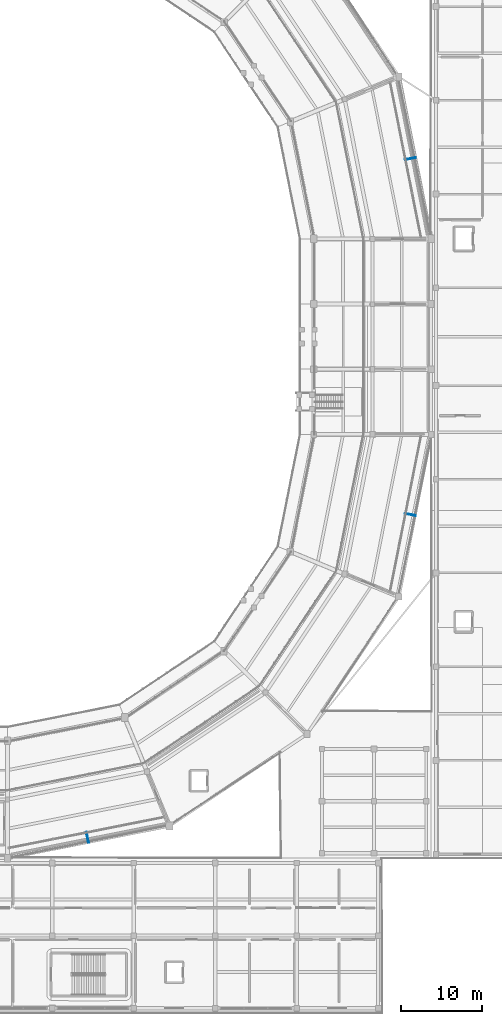
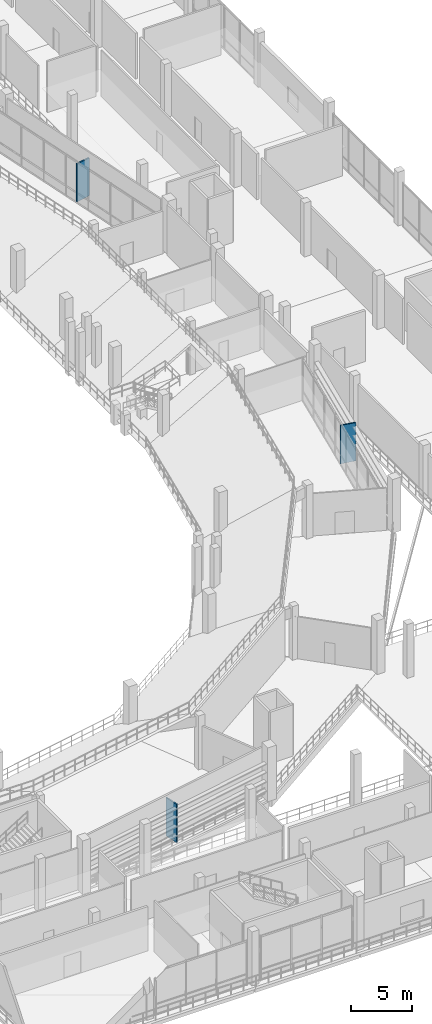
# One storey, part 92 of 127: 3 discrete accessories.
"""IFC4 building model written with IfcOpenShell, lengths in metres."""

from ifc_helpers import new_model, si_unit, direction, frame, origin, origin_2d, place, context, subcontext, project, spatial, rectangle, extrude, material, type_object, element, save


model = new_model("IFC4")

# Units and contexts
model_context = context("Model", 3, precision=1e-05, world=origin(), true_north=direction((0.0, 1.0)))
body_context = subcontext(model_context, "Body", "Model", "MODEL_VIEW")
ifc_project = project(units=[si_unit("LENGTHUNIT", "METRE"), si_unit("AREAUNIT", "SQUARE_METRE"), si_unit("VOLUMEUNIT", "CUBIC_METRE"), si_unit("PLANEANGLEUNIT", "RADIAN"), si_unit("MASSUNIT", "GRAM", prefix="KILO")], contexts=[model_context])

# Site, building, storey
site_placement = place(None, origin())
site = spatial("IfcSite", under=ifc_project, at=site_placement, CompositionType="ELEMENT")
building_placement = place(site_placement, origin())
building = spatial("IfcBuilding", under=site, at=building_placement, Name="Candeia Ridge Stadium", CompositionType="ELEMENT")
storey_placement = place(building_placement, frame((0.0, 0.0, 10.800048828125)))
storey = spatial("IfcBuildingStorey", under=building, at=storey_placement, Name="L02", CompositionType="ELEMENT", Elevation=10.800048828125)

# Discrete accessories
ifc_material = material(Name="Steel ASTM A572 Grade 50", Category="steel")
discrete_accessory_type = type_object("IfcDiscreteAccessoryType", Name="Solar Rib Outrigger Bracket BRK1", PredefinedType="BRACKET", material=ifc_material)
for number, where, z_axis, x_axis, name in (
    (1, (150.8349609375, 21.556396484375, 0.199951171875), (0.0, 0.0, 1.0), (0.19509022785, -0.980785299134, 0.0), "Solar rib steel outrigger bracket L02 bay 26"),
    (2, (190.443603515625, 61.1650390625, 0.199951171875), (0.0, 0.0, 1.0), (0.980785299134, -0.19509022785, 0.0), "Solar rib steel outrigger bracket L02 bay 29"),
):
    element("IfcDiscreteAccessory", number, at=place(storey_placement, frame(where, z_axis=z_axis, x_axis=x_axis)), inside=storey, type_object=discrete_accessory_type, Name=name, PredefinedType="BRACKET", context=body_context, shape_type="SweptSolid", body=[
        extrude(rectangle(XDim=1.35009765625, YDim=0.1201171875, at=origin_2d()), origin(), (0.0, 0.0, 1.0), 3.85498046875),
    ])
discrete_accessory_placement = place(storey_placement, frame((190.443603515625, 104.8349609375, 0.199951171875), z_axis=(0.0, 0.0, 1.0), x_axis=(0.980785299134, 0.19509022785, 0.0)))
element("IfcDiscreteAccessory", 3, at=discrete_accessory_placement, inside=storey, type_object=discrete_accessory_type, Name="Solar rib steel outrigger bracket L02 bay 33", PredefinedType="BRACKET", context=body_context, shape_type="SweptSolid", body=[
    extrude(rectangle(XDim=1.35009765625, YDim=0.1201171875, at=origin_2d()), origin(), (0.0, 0.0, 1.0), 3.81494140625),
])

save(model, "model.ifc")
